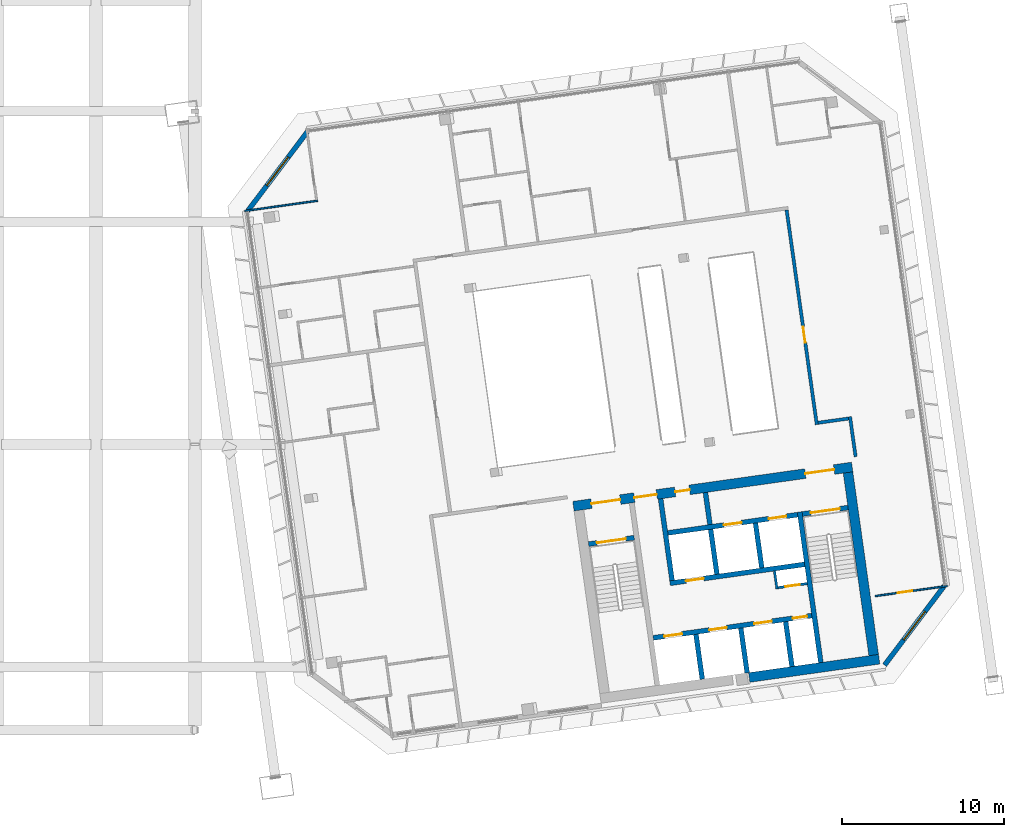
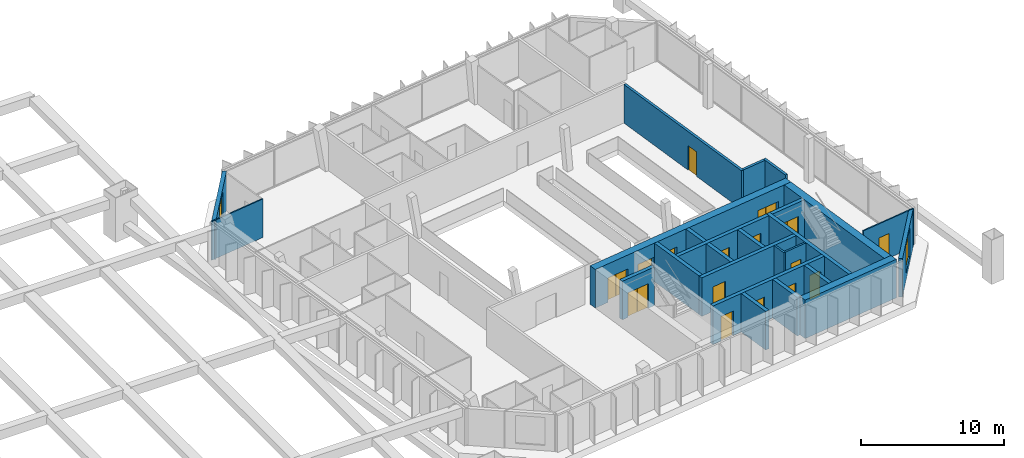
# One storey, part 25 of 36: 25 walls, 16 doors, 2 windows, 18 openings.
"""IFC4 building model written with IfcOpenShell, lengths in metres."""

import ifcopenshell
import ifcopenshell.guid

model = None  # the IFC model being written
_history = None  # IfcOwnerHistory: only IFC2X3 demands one
_inside = {}  # id of a spatial element -> (the spatial element, [elements in it])
_under = {}  # id of a project, library or spatial element -> (it, [spatial elements below it])
_declared = {}  # id of a project -> (the project, [libraries it declares])
_typed = {}  # id of a type object -> (the type object, [elements of that type])
_made_of = {}  # id of a material, layer set ... -> (it, [elements and type objects made of it])


def new_model(schema):
    """Start an empty IFC model of exactly this schema.

    Asked for "IFC4X3", IfcOpenShell would pick the latest addendum, in which some entities
    have other attributes; the version numbers below select the first issue.
    IFC2X3 requires an IfcOwnerHistory on every rooted entity: one is made here for all.
    """
    global model, _history
    if schema == "IFC4X3":
        model = ifcopenshell.file(schema_version=(4, 3, 0, 0))
    else:
        model = ifcopenshell.file(schema=schema)
    _inside.clear()
    _under.clear()
    _declared.clear()
    _typed.clear()
    _made_of.clear()
    _history = None
    if model.schema == "IFC2X3":
        org = make("IfcOrganization", Name="unknown")
        user = make(
            "IfcPersonAndOrganization",
            ThePerson=make("IfcPerson", FamilyName="unknown"),
            TheOrganization=org,
        )
        app = make(
            "IfcApplication",
            ApplicationDeveloper=org,
            Version="unknown",
            ApplicationFullName="unknown",
            ApplicationIdentifier="unknown",
        )
        _history = make(
            "IfcOwnerHistory",
            OwningUser=user,
            OwningApplication=app,
            ChangeAction="ADDED",
            CreationDate=0,
        )
    return model


def make(cls, **values):
    """One entity of the class cls with the attributes given. An attribute that is None is left unset."""
    return model.create_entity(
        cls, **{name: value for name, value in values.items() if value is not None}
    )


def rooted(cls, **values):
    """An entity with a GlobalId (a new one), such as an element, a storey or a relation."""
    return make(cls, GlobalId=ifcopenshell.guid.new(), OwnerHistory=_history, **values)


def si_unit(unit_type, name, prefix=None):
    """IfcSIUnit, for example si_unit("LENGTHUNIT", "METRE", prefix="MILLI")."""
    return make("IfcSIUnit", UnitType=unit_type, Prefix=prefix, Name=name)


def assignment(units):
    """IfcUnitAssignment: the units of a project."""
    return None if units is None else make("IfcUnitAssignment", Units=units)


def point(xyz):
    """IfcCartesianPoint."""
    return None if xyz is None else make("IfcCartesianPoint", Coordinates=xyz)


def direction(xyz):
    """IfcDirection."""
    return None if xyz is None else make("IfcDirection", DirectionRatios=xyz)


def frame(location, z_axis=None, x_axis=None):
    """IfcAxis2Placement3D, a coordinate frame: its origin and axes. An axis left out is left unset."""
    return make(
        "IfcAxis2Placement3D",
        Location=point(location),
        Axis=direction(z_axis),
        RefDirection=direction(x_axis),
    )


def frame_2d(location, x_axis=None):
    """IfcAxis2Placement2D, a coordinate frame in the plane: its origin and x axis."""
    return make(
        "IfcAxis2Placement2D", Location=point(location), RefDirection=direction(x_axis)
    )


def origin():
    """The frame at (0, 0, 0) with its axes left unset."""
    return frame((0.0, 0.0, 0.0))


def place(relative_to, where):
    """IfcLocalPlacement: puts the frame where relative to a parent placement (None: the world)."""
    return make(
        "IfcLocalPlacement", PlacementRelTo=relative_to, RelativePlacement=where
    )


def context(
    kind, dimensions, precision=None, world=None, true_north=None, identifier=None
):
    """IfcGeometricRepresentationContext, for example the 3D "Model" context."""
    return make(
        "IfcGeometricRepresentationContext",
        ContextIdentifier=identifier,
        ContextType=kind,
        CoordinateSpaceDimension=dimensions,
        Precision=precision,
        WorldCoordinateSystem=world,
        TrueNorth=true_north,
    )


def subcontext(parent, identifier, kind, view, scale=None):
    """IfcGeometricRepresentationSubContext, for example "Body" below "Model"."""
    return make(
        "IfcGeometricRepresentationSubContext",
        ContextIdentifier=identifier,
        ContextType=kind,
        ParentContext=parent,
        TargetScale=scale,
        TargetView=view,
    )


def project(units=None, contexts=None):
    """IfcProject with its units and contexts."""
    return rooted(
        "IfcProject",
        Name="project",
        RepresentationContexts=contexts,
        UnitsInContext=assignment(units),
    )


def spatial(cls, under=None, at=None, **own):
    """A site, building, storey or space (cls), placed at a placement, below another one or the project."""
    s = rooted(cls, ObjectPlacement=at, **own)
    if under is not None:
        _under.setdefault(under.id(), (under, []))[1].append(s)
    return s


def profile(cls, at=None, kind="AREA", **sizes):
    """A parametric profile (cls). Its sizes go by their IFC names, for example OverallWidth=200.0."""
    return make(cls, ProfileType=kind, Position=at, **sizes)


def rectangle(**sizes):
    """IfcRectangleProfileDef."""
    return profile("IfcRectangleProfileDef", **sizes)


def extrude(swept, where, along, depth):
    """IfcExtrudedAreaSolid: the profile swept, set in the frame where, extruded along a direction by depth."""
    return make(
        "IfcExtrudedAreaSolid",
        SweptArea=swept,
        Position=where,
        ExtrudedDirection=direction(along),
        Depth=depth,
    )


def shape(context_of_items, identifier, shape_type, items):
    """IfcShapeRepresentation: the items that make up one representation, for example the "Body"."""
    return make(
        "IfcShapeRepresentation",
        ContextOfItems=context_of_items,
        RepresentationIdentifier=identifier,
        RepresentationType=shape_type,
        Items=items,
    )


def material(Name=None, Category=None):
    """IfcMaterial."""
    return make("IfcMaterial", Name=Name, Category=Category)


def layer(
    of_material, thickness, ventilated=None, Name=None, Category=None, Priority=None
):
    """IfcMaterialLayer: one layer of a wall or slab, of a material (None: an air gap)."""
    return make(
        "IfcMaterialLayer",
        Material=of_material,
        LayerThickness=thickness,
        IsVentilated=ventilated,
        Name=Name,
        Category=Category,
        Priority=Priority,
    )


def layer_set(layers, Name=None):
    """IfcMaterialLayerSet."""
    return make("IfcMaterialLayerSet", MaterialLayers=layers, LayerSetName=Name)


def made_of(thing, what):
    """Note that an element or type object is made of a material, layer set ...; save() writes the relation."""
    if what is not None:
        _made_of.setdefault(what.id(), (what, []))[1].append(thing)
    return thing


def type_object(cls, material=None, **own):
    """A type object (cls), such as IfcWallType, which elements share."""
    return made_of(rooted(cls, **own), material)


def element(
    cls,
    number,
    at=None,
    inside=None,
    cuts=None,
    type_object=None,
    material=None,
    context=None,
    identifier="Body",
    shape_type=None,
    held_by="IfcProductDefinitionShape",
    body=None,
    shapes=None,
    **own,
):
    """One element of the class cls, such as IfcWall. Its Tag is "e" and its number.

    at: its placement. inside: the storey or other place that contains it. cuts: it is an
    opening in that element (IfcRelVoidsElement). A single representation is given by context,
    identifier, shape_type and body (its items); several are given by shapes. held_by: the class
    of the entity that holds the representations. save() writes the other relations.
    """
    e = rooted(cls, Tag="e%d" % number, ObjectPlacement=at, **own)
    if body is not None:
        shapes = [shape(context, identifier, shape_type, body)]
    if shapes is not None:
        e.Representation = make(held_by, Representations=shapes)
    if inside is not None:
        _inside.setdefault(inside.id(), (inside, []))[1].append(e)
    if cuts is not None:
        rooted(
            "IfcRelVoidsElement", RelatingBuildingElement=cuts, RelatedOpeningElement=e
        )
    if type_object is not None:
        _typed.setdefault(type_object.id(), (type_object, []))[1].append(e)
    return made_of(e, material)


def fill(opening, filler):
    """IfcRelFillsElement: the door or window that sits in an opening."""
    return rooted(
        "IfcRelFillsElement",
        RelatingOpeningElement=opening,
        RelatedBuildingElement=filler,
    )


def aggregate(whole, parts):
    """IfcRelAggregates: a whole, such as a stair, and the parts it consists of."""
    return rooted("IfcRelAggregates", RelatingObject=whole, RelatedObjects=parts)


def save(model, path):
    """Write the relations noted so far, then the file.

    IfcRelAggregates (storeys below a building ...), IfcRelContainedInSpatialStructure (elements
    in a storey), IfcRelDefinesByType, IfcRelAssociatesMaterial and IfcRelDeclares: one each for
    every whole, place, type object, material and project.
    """
    for whole, parts in _under.values():
        aggregate(whole, parts)
    for where, things in _inside.values():
        rooted(
            "IfcRelContainedInSpatialStructure",
            RelatedElements=things,
            RelatingStructure=where,
        )
    for kind, things in _typed.values():
        rooted("IfcRelDefinesByType", RelatedObjects=things, RelatingType=kind)
    for what, things in _made_of.values():
        rooted("IfcRelAssociatesMaterial", RelatedObjects=things, RelatingMaterial=what)
    for by, libraries in _declared.values():
        rooted("IfcRelDeclares", RelatingContext=by, RelatedDefinitions=libraries)
    model.write(path)


model = new_model("IFC4")

# Units and contexts
model_context = context("Model", 3, precision=1e-05, world=origin(), true_north=direction((0.0, 1.0)))
body_context = subcontext(model_context, "Body", "Model", "MODEL_VIEW")
ifc_project = project(units=[si_unit("LENGTHUNIT", "METRE"), si_unit("AREAUNIT", "SQUARE_METRE"), si_unit("VOLUMEUNIT", "CUBIC_METRE"), si_unit("PLANEANGLEUNIT", "RADIAN"), si_unit("MASSUNIT", "GRAM", prefix="KILO")], contexts=[model_context])

# Site, building, storey
site_placement = place(None, origin())
site = spatial("IfcSite", under=ifc_project, at=site_placement, CompositionType="ELEMENT")
building_placement = place(site_placement, origin())
building = spatial("IfcBuilding", under=site, at=building_placement, Name="Mirante Cascada Hotel Towers", CompositionType="ELEMENT")
storey_placement = place(building_placement, frame((0.0, 0.0, 254.6)))
storey = spatial("IfcBuildingStorey", under=building, at=storey_placement, Name="L61", CompositionType="ELEMENT", Elevation=254.6)

# Wall
ifc_material_1 = material(Name="Fire-rated plasterboard on metal studs")
ifc_layer_1 = layer(ifc_material_1, 0.2)
ifc_layer_set_1 = layer_set([ifc_layer_1], Name="Compartment wall 200 EI 120")
wall_type_1 = type_object("IfcWallType", Name="Compartment wall 200 EI 120", PredefinedType="PARTITIONING", material=ifc_layer_set_1)
wall_1_placement = place(storey_placement, frame((50.7737, -2.5139, 0.0), z_axis=(0.0, 0.0, 1.0), x_axis=(0.9902628, 0.1392105, 0.0)))
element("IfcWall", 1, at=wall_1_placement, inside=storey, type_object=wall_type_1, Name="Wall 2-L61-08", PredefinedType="PARTITIONING", context=body_context, shape_type="SweptSolid", body=[
    extrude(rectangle(XDim=1.9, YDim=0.2, at=frame_2d((0.95, 0.0))), origin(), (0.0, 0.0, 1.0), 3.3),
])

# Wall, opening, door
wall_2_placement = place(storey_placement, frame((48.8237, 10.6428, 0.0), z_axis=(0.0, 0.0, 1.0), x_axis=(0.1391716, -0.9902683, 0.0)))
wall_2 = element("IfcWall", 2, at=wall_2_placement, inside=storey, type_object=wall_type_1, Name="Wall 2-L61-47", PredefinedType="PARTITIONING", context=body_context, shape_type="SweptSolid", body=[
    extrude(rectangle(XDim=13.4, YDim=0.2, at=frame_2d((6.7, 0.0))), origin(), (0.0, 0.0, 1.0), 3.3),
])
opening_1_placement = place(wall_2_placement, frame((7.3, 0.0, 0.0)))
opening_1 = element("IfcOpeningElement", 3, at=opening_1_placement, cuts=wall_2, Name="Opening D2-L61-26", PredefinedType="OPENING", context=body_context, shape_type="SweptSolid", body=[
    extrude(rectangle(XDim=1.0, YDim=2.1, at=frame_2d((0.5, 1.05))), frame((0.0, 0.1, 0.0), z_axis=(0.0, -1.0, 0.0), x_axis=(1.0, 0.0, 0.0)), (0.0, 0.0, 1.0), 0.2),
])
ifc_material_2 = material(Name="Fire-rated timber door leaf", Category="wood")
door_type_1 = type_object("IfcDoorType", Name="Entrance door DG1 1000x2100 EI 60", OperationType="SINGLE_SWING_LEFT", PredefinedType="DOOR", material=ifc_material_2)
door_1_placement = place(opening_1_placement, origin())
door_1 = element("IfcDoor", 4, at=door_1_placement, inside=storey, type_object=door_type_1, Name="Door D2-L61-26", OperationType="SINGLE_SWING_LEFT", OverallHeight=2.1, OverallWidth=1.0, PredefinedType="DOOR", context=body_context, shape_type="SweptSolid", body=[
    extrude(rectangle(XDim=1.0, YDim=2.1, at=frame_2d((0.5, 1.05))), frame((0.0, 0.025, 0.0), z_axis=(0.0, -1.0, 0.0), x_axis=(1.0, 0.0, 0.0)), (0.0, 0.0, 1.0), 0.05),
])
fill(opening_1, door_1)

# Walls
wall_3_placement = place(storey_placement, frame((52.7403, -2.1365, 0.0), z_axis=(0.0, 0.0, 1.0), x_axis=(0.1391586, -0.9902701, 0.0)))
element("IfcWall", 5, at=wall_3_placement, inside=storey, type_object=wall_type_1, Name="Wall 2-L61-49", PredefinedType="PARTITIONING", context=body_context, shape_type="SweptSolid", body=[
    extrude(rectangle(XDim=2.5, YDim=0.2, at=frame_2d((1.25, 0.0))), origin(), (0.0, 0.0, 1.0), 3.3),
])
ifc_material_3 = material(Name="Masonry block", Category="masonry")
ifc_layer_2 = layer(ifc_material_3, 0.15)
ifc_layer_set_2 = layer_set([ifc_layer_2], Name="Core room partition 150 block EI 30")
wall_type_2 = type_object("IfcWallType", Name="Core room partition 150 block EI 30", PredefinedType="PARTITIONING", material=ifc_layer_set_2)
wall_4_placement = place(storey_placement, frame((48.2295, -12.793, 0.0), z_axis=(0.0, 0.0, 1.0), x_axis=(-0.1391935, 0.9902652, 0.0)))
element("IfcWall", 6, at=wall_4_placement, inside=storey, type_object=wall_type_2, Name="Core wall partition T2 L61 2", PredefinedType="PARTITIONING", context=body_context, shape_type="SweptSolid", body=[
    extrude(rectangle(XDim=1.1251, YDim=0.15, at=frame_2d((0.5626, 0.0))), origin(), (0.0, 0.0, 1.0), 3.3),
])

# Wall, opening, door
wall_5_placement = place(storey_placement, frame((48.2933, -12.7083, 0.0), z_axis=(0.0, 0.0, 1.0), x_axis=(0.990268, 0.1391734, 0.0)))
wall_5 = element("IfcWall", 7, at=wall_5_placement, inside=storey, type_object=wall_type_2, Name="Core wall partition T2 L61 3", PredefinedType="PARTITIONING", context=body_context, shape_type="SweptSolid", body=[
    extrude(rectangle(XDim=1.8251, YDim=0.15, at=frame_2d((0.9126, 0.0))), origin(), (0.0, 0.0, 1.0), 3.3),
])
opening_2_placement = place(wall_5_placement, frame((0.4625, 0.0, 0.0)))
opening_2 = element("IfcOpeningElement", 8, at=opening_2_placement, cuts=wall_5, Name="Opening D2-61-C13", PredefinedType="OPENING", context=body_context, shape_type="SweptSolid", body=[
    extrude(rectangle(XDim=0.9, YDim=2.1, at=frame_2d((0.45, 1.05))), frame((0.0, 0.075, 0.0), z_axis=(0.0, -1.0, 0.0), x_axis=(1.0, 0.0, 0.0)), (0.0, 0.0, 1.0), 0.15),
])
ifc_material_4 = material(Name="Hollow metal fire door leaf")
door_type_2 = type_object("IfcDoorType", Name="Fire door 900x2100 FD60", OperationType="NOTDEFINED", PredefinedType="DOOR", material=ifc_material_4)
door_2_placement = place(opening_2_placement, frame((0.9, 0.0, 0.0), z_axis=(0.0, 0.0, 1.0), x_axis=(-1.0, 0.0, 0.0)))
door_2 = element("IfcDoor", 9, at=door_2_placement, inside=storey, type_object=door_type_2, Name="Riser door T2 L61 13", OperationType="SINGLE_SWING_RIGHT", OverallHeight=2.1, OverallWidth=0.9, PredefinedType="DOOR", context=body_context, shape_type="SweptSolid", body=[
    extrude(rectangle(XDim=0.9, YDim=2.1, at=frame_2d((0.45, 1.05))), frame((0.0, 0.025, 0.0), z_axis=(0.0, -1.0, 0.0), x_axis=(1.0, 0.0, 0.0)), (0.0, 0.0, 1.0), 0.05),
])
fill(opening_2, door_2)

# Wall
ifc_material_5 = material(Name="Masonry block", Category="masonry")
ifc_layer_3 = layer(ifc_material_5, 0.3)
ifc_layer_set_3 = layer_set([ifc_layer_3], Name="Core wall 300 block EI 120")
wall_type_3 = type_object("IfcWallType", Name="Core wall 300 block EI 120", PredefinedType="PARTITIONING", material=ifc_layer_set_3)
wall_6_placement = place(storey_placement, frame((44.0843, -8.8061, 0.0), z_axis=(0.0, 0.0, 1.0), x_axis=(-0.1391951, 0.990265, 0.0)))
element("IfcWall", 10, at=wall_6_placement, inside=storey, type_object=wall_type_3, Name="Core wall partition T2 L61 1", PredefinedType="PARTITIONING", context=body_context, shape_type="SweptSolid", body=[
    extrude(rectangle(XDim=2.0001, YDim=0.3, at=frame_2d((1.0001, 0.0))), origin(), (0.0, 0.0, 1.0), 3.3),
])

# Wall, opening, door
ifc_material_6 = material(Name="Plasterboard on metal studs")
ifc_layer_4 = layer(ifc_material_6, 0.1)
ifc_layer_set_4 = layer_set([ifc_layer_4], Name="Partition 100")
wall_type_4 = type_object("IfcWallType", Name="Partition 100", PredefinedType="PARTITIONING", material=ifc_layer_set_4)
wall_7_placement = place(storey_placement, frame((54.299, -13.2275, 0.0), z_axis=(0.0, 0.0, 1.0), x_axis=(0.9902674, 0.1391779, 0.0)))
wall_7 = element("IfcWall", 11, at=wall_7_placement, inside=storey, type_object=wall_type_4, Name="Wall 2-L61-04", PredefinedType="PARTITIONING", context=body_context, shape_type="SweptSolid", body=[
    extrude(rectangle(XDim=4.5, YDim=0.1, at=frame_2d((2.25, 0.0))), origin(), (0.0, 0.0, 1.0), 3.3),
])
opening_3_placement = place(wall_7_placement, frame((1.41, 0.0, 0.0)))
opening_3 = element("IfcOpeningElement", 12, at=opening_3_placement, cuts=wall_7, Name="Opening D2-L61-03", PredefinedType="OPENING", context=body_context, shape_type="SweptSolid", body=[
    extrude(rectangle(XDim=0.9, YDim=2.1, at=frame_2d((0.45, 1.05))), frame((0.0, 0.05, 0.0), z_axis=(0.0, -1.0, 0.0), x_axis=(1.0, 0.0, 0.0)), (0.0, 0.0, 1.0), 0.1),
])
ifc_material_7 = material(Name="Timber door leaf", Category="wood")
door_type_3 = type_object("IfcDoorType", Name="Room door DG3 900x2100", OperationType="SINGLE_SWING_LEFT", PredefinedType="DOOR", material=ifc_material_7)
door_3_placement = place(opening_3_placement, origin())
door_3 = element("IfcDoor", 13, at=door_3_placement, inside=storey, type_object=door_type_3, Name="Door D2-L61-03", OperationType="SINGLE_SWING_LEFT", OverallHeight=2.1, OverallWidth=0.9, PredefinedType="DOOR", context=body_context, shape_type="SweptSolid", body=[
    extrude(rectangle(XDim=0.9, YDim=2.1, at=frame_2d((0.45, 1.05))), frame((0.0, 0.025, 0.0), z_axis=(0.0, -1.0, 0.0), x_axis=(1.0, 0.0, 0.0)), (0.0, 0.0, 1.0), 0.05),
])
fill(opening_3, door_3)

# Wall
wall_8_placement = place(storey_placement, frame((15.3185, 10.5792, 0.0), z_axis=(0.0, 0.0, 1.0), x_axis=(0.9902695, 0.1391626, 0.0)))
element("IfcWall", 14, at=wall_8_placement, inside=storey, type_object=wall_type_4, Name="Wall 2-L61-20", PredefinedType="PARTITIONING", context=body_context, shape_type="SweptSolid", body=[
    extrude(rectangle(XDim=4.5501, YDim=0.1, at=frame_2d((2.275, 0.0))), origin(), (0.0, 0.0, 1.0), 3.3),
])

# Wall, opening, window
ifc_material_8 = material(Name="Precast concrete C40/50", Category="concrete")
ifc_layer_5 = layer(ifc_material_8, 0.3)
ifc_layer_set_5 = layer_set([ifc_layer_5], Name="Precast concrete C40/50 cladding wall 300")
wall_type_5 = type_object("IfcWallType", Name="Precast concrete C40/50 cladding wall 300", PredefinedType="STANDARD", material=ifc_layer_set_5)
wall_9_placement = place(storey_placement, frame((54.8802, -17.4943, 0.0), z_axis=(0.0, 0.0, 1.0), x_axis=(0.6018141, 0.7986362, 0.0)))
wall_9 = element("IfcWall", 15, at=wall_9_placement, inside=storey, type_object=wall_type_5, Name="Corner cladding wall T2 L61 rear outer", PredefinedType="STANDARD", context=body_context, shape_type="SweptSolid", body=[
    extrude(rectangle(XDim=6.1157, YDim=0.3, at=frame_2d((3.0578, 0.0))), origin(), (0.0, 0.0, 1.0), 3.3),
])
opening_4_placement = place(wall_9_placement, frame((1.9578, 0.0, 0.6)))
opening_4 = element("IfcOpeningElement", 16, at=opening_4_placement, cuts=wall_9, Name="Opening W2-61-04", PredefinedType="OPENING", context=body_context, shape_type="SweptSolid", body=[
    extrude(rectangle(XDim=2.2, YDim=2.4, at=frame_2d((1.1, 1.2))), frame((0.0, 0.15, 0.0), z_axis=(0.0, -1.0, 0.0), x_axis=(1.0, 0.0, 0.0)), (0.0, 0.0, 1.0), 0.3),
])
ifc_material_9 = material(Name="Aluminium frame with clear double glazing", Category="aluminium")
window_type = type_object("IfcWindowType", Name="Corner suite window 2200x2400", PartitioningType="DOUBLE_PANEL_VERTICAL", PredefinedType="WINDOW", material=ifc_material_9)
window_1_placement = place(opening_4_placement, origin())
window_1 = element("IfcWindow", 17, at=window_1_placement, inside=storey, type_object=window_type, Name="Window W2-61-04", OverallHeight=2.4, OverallWidth=2.2, PartitioningType="SINGLE_PANEL", PredefinedType="WINDOW", context=body_context, shape_type="SweptSolid", body=[
    extrude(rectangle(XDim=2.2, YDim=2.4, at=frame_2d((1.1, 1.2))), frame((0.0, 0.03, 0.0), z_axis=(0.0, -1.0, 0.0), x_axis=(1.0, 0.0, 0.0)), (0.0, 0.0, 1.0), 0.06),
])
fill(opening_4, window_1)

wall_10_placement = place(storey_placement, frame((19.1936, 15.4722, 0.0), z_axis=(0.0, 0.0, 1.0), x_axis=(-0.6018141, -0.7986362, 0.0)))
wall_10 = element("IfcWall", 18, at=wall_10_placement, inside=storey, type_object=wall_type_5, Name="Corner cladding wall T2 L61 front inner", PredefinedType="STANDARD", context=body_context, shape_type="SweptSolid", body=[
    extrude(rectangle(XDim=6.1157, YDim=0.3, at=frame_2d((3.0578, 0.0))), origin(), (0.0, 0.0, 1.0), 3.3),
])
opening_5_placement = place(wall_10_placement, frame((1.9578, 0.0, 0.6)))
opening_5 = element("IfcOpeningElement", 19, at=opening_5_placement, cuts=wall_10, Name="Opening W2-61-06", PredefinedType="OPENING", context=body_context, shape_type="SweptSolid", body=[
    extrude(rectangle(XDim=2.2, YDim=2.4, at=frame_2d((1.1, 1.2))), frame((0.0, 0.15, 0.0), z_axis=(0.0, -1.0, 0.0), x_axis=(1.0, 0.0, 0.0)), (0.0, 0.0, 1.0), 0.3),
])
window_2_placement = place(opening_5_placement, origin())
window_2 = element("IfcWindow", 20, at=window_2_placement, inside=storey, type_object=window_type, Name="Window W2-61-06", OverallHeight=2.4, OverallWidth=2.2, PartitioningType="SINGLE_PANEL", PredefinedType="WINDOW", context=body_context, shape_type="SweptSolid", body=[
    extrude(rectangle(XDim=2.2, YDim=2.4, at=frame_2d((1.1, 1.2))), frame((0.0, 0.03, 0.0), z_axis=(0.0, -1.0, 0.0), x_axis=(1.0, 0.0, 0.0)), (0.0, 0.0, 1.0), 0.06),
])
fill(opening_5, window_2)

# Wall
ifc_material_10 = material(Name="Concrete C50/60", Category="concrete")
ifc_layer_6 = layer(ifc_material_10, 0.3)
ifc_layer_set_6 = layer_set([ifc_layer_6], Name="RC core wall 300 C50/60")
wall_type_6 = type_object("IfcWallType", Name="RC core wall 300 C50/60", PredefinedType="SHEAR", material=ifc_layer_set_6)
wall_11_placement = place(storey_placement, frame((50.938, -17.3352, 0.0), z_axis=(0.0, 0.0, 1.0), x_axis=(-0.1391706, 0.9902684, 0.0)))
element("IfcWall", 21, at=wall_11_placement, inside=storey, type_object=wall_type_6, Name="Core wall T2:L61:6", PredefinedType="SHEAR", context=body_context, shape_type="SweptSolid", body=[
    extrude(rectangle(XDim=9.4, YDim=0.3, at=frame_2d((4.7, 0.0))), origin(), (0.0, 0.0, 1.0), 3.3),
])

# Wall, opening, door
wall_12_placement = place(storey_placement, frame((36.5791, -10.0123, 0.0), z_axis=(0.0, 0.0, 1.0), x_axis=(0.9902704, 0.1391564, 0.0)))
wall_12 = element("IfcWall", 22, at=wall_12_placement, inside=storey, type_object=wall_type_6, Name="Core wall T2:L61:7", PredefinedType="SHEAR", context=body_context, shape_type="SweptSolid", body=[
    extrude(rectangle(XDim=2.85, YDim=0.3, at=frame_2d((1.425, 0.0))), origin(), (0.0, 0.0, 1.0), 3.3),
])
opening_6_placement = place(wall_12_placement, frame((0.525, 0.0, 0.0)))
opening_6 = element("IfcOpeningElement", 23, at=opening_6_placement, cuts=wall_12, Name="Opening D2-61-C07", PredefinedType="OPENING", context=body_context, shape_type="SweptSolid", body=[
    extrude(rectangle(XDim=1.8, YDim=2.1, at=frame_2d((0.9, 1.05))), frame((0.0, 0.15, 0.0), z_axis=(0.0, -1.0, 0.0), x_axis=(1.0, 0.0, 0.0)), (0.0, 0.0, 1.0), 0.3),
])
ifc_material_11 = material(Name="Hollow metal fire door leaf")
door_type_4 = type_object("IfcDoorType", Name="Double fire door 1800x2100 FD60", OperationType="DOUBLE_DOOR_SINGLE_SWING", PredefinedType="DOOR", material=ifc_material_11)
door_4_placement = place(opening_6_placement, frame((1.8, 0.0, 0.0), z_axis=(0.0, 0.0, 1.0), x_axis=(-1.0, 0.0, 0.0)))
door_4 = element("IfcDoor", 24, at=door_4_placement, inside=storey, type_object=door_type_4, Name="Stair door T2 L61 7", OperationType="DOUBLE_DOOR_SINGLE_SWING", OverallHeight=2.1, OverallWidth=1.8, PredefinedType="DOOR", context=body_context, shape_type="SweptSolid", body=[
    extrude(rectangle(XDim=0.895, YDim=2.1, at=frame_2d((0.4475, 1.05))), frame((0.0, 0.025, 0.0), z_axis=(0.0, -1.0, 0.0), x_axis=(1.0, 0.0, 0.0)), (0.0, 0.0, 1.0), 0.05),
    extrude(rectangle(XDim=0.895, YDim=2.1, at=frame_2d((1.3525, 1.05))), frame((0.0, 0.025, 0.0), z_axis=(0.0, -1.0, 0.0), x_axis=(1.0, 0.0, 0.0)), (0.0, 0.0, 1.0), 0.05),
])
fill(opening_6, door_4)

wall_13_placement = place(storey_placement, frame((49.7992, -8.1544, 0.0), z_axis=(0.0, 0.0, 1.0), x_axis=(0.9902656, 0.1391909, 0.0)))
wall_13 = element("IfcWall", 25, at=wall_13_placement, inside=storey, type_object=wall_type_6, Name="Core wall T2:L61:8", PredefinedType="SHEAR", context=body_context, shape_type="SweptSolid", body=[
    extrude(rectangle(XDim=2.85, YDim=0.3, at=frame_2d((1.425, 0.0))), origin(), (0.0, 0.0, 1.0), 3.3),
])
opening_7_placement = place(wall_13_placement, frame((0.525, 0.0, 0.0)))
opening_7 = element("IfcOpeningElement", 26, at=opening_7_placement, cuts=wall_13, Name="Opening D2-61-C09", PredefinedType="OPENING", context=body_context, shape_type="SweptSolid", body=[
    extrude(rectangle(XDim=1.8, YDim=2.1, at=frame_2d((0.9, 1.05))), frame((0.0, 0.15, 0.0), z_axis=(0.0, -1.0, 0.0), x_axis=(1.0, 0.0, 0.0)), (0.0, 0.0, 1.0), 0.3),
])
door_5_placement = place(opening_7_placement, frame((1.8, 0.0, 0.0), z_axis=(0.0, 0.0, 1.0), x_axis=(-1.0, 0.0, 0.0)))
door_5 = element("IfcDoor", 27, at=door_5_placement, inside=storey, type_object=door_type_4, Name="Stair door T2 L61 9", OperationType="DOUBLE_DOOR_SINGLE_SWING", OverallHeight=2.1, OverallWidth=1.8, PredefinedType="DOOR", context=body_context, shape_type="SweptSolid", body=[
    extrude(rectangle(XDim=0.895, YDim=2.1, at=frame_2d((0.4475, 1.05))), frame((0.0, 0.025, 0.0), z_axis=(0.0, -1.0, 0.0), x_axis=(1.0, 0.0, 0.0)), (0.0, 0.0, 1.0), 0.05),
    extrude(rectangle(XDim=0.895, YDim=2.1, at=frame_2d((1.3525, 1.05))), frame((0.0, 0.025, 0.0), z_axis=(0.0, -1.0, 0.0), x_axis=(1.0, 0.0, 0.0)), (0.0, 0.0, 1.0), 0.05),
])
fill(opening_7, door_5)

# Wall, openings, doors
wall_14_placement = place(storey_placement, frame((40.5753, -15.8126, 0.0), z_axis=(0.0, 0.0, 1.0), x_axis=(0.9902682, 0.1391725, 0.0)))
wall_14 = element("IfcWall", 28, at=wall_14_placement, inside=storey, type_object=wall_type_6, Name="Core wall T2:L61:9", PredefinedType="SHEAR", context=body_context, shape_type="SweptSolid", body=[
    extrude(rectangle(XDim=9.8999, YDim=0.3, at=frame_2d((4.95, 0.0))), origin(), (0.0, 0.0, 1.0), 3.3),
])
opening_8_placement = place(wall_14_placement, frame((0.7, 0.0, 0.0)))
opening_8 = element("IfcOpeningElement", 29, at=opening_8_placement, cuts=wall_14, Name="Opening LD", PredefinedType="OPENING", context=body_context, shape_type="SweptSolid", body=[
    extrude(rectangle(XDim=1.1, YDim=2.1, at=frame_2d((0.55, 1.05))), frame((0.0, 0.15, 0.0), z_axis=(0.0, -1.0, 0.0), x_axis=(1.0, 0.0, 0.0)), (0.0, 0.0, 1.0), 0.3),
])
opening_9_placement = place(wall_14_placement, frame((3.5, 0.0, 0.0)))
opening_9 = element("IfcOpeningElement", 30, at=opening_9_placement, cuts=wall_14, Name="Opening LD", PredefinedType="OPENING", context=body_context, shape_type="SweptSolid", body=[
    extrude(rectangle(XDim=1.1, YDim=2.1, at=frame_2d((0.55, 1.05))), frame((0.0, 0.15, 0.0), z_axis=(0.0, -1.0, 0.0), x_axis=(1.0, 0.0, 0.0)), (0.0, 0.0, 1.0), 0.3),
])
opening_10_placement = place(wall_14_placement, frame((6.3, 0.0, 0.0)))
opening_10 = element("IfcOpeningElement", 31, at=opening_10_placement, cuts=wall_14, Name="Opening LD", PredefinedType="OPENING", context=body_context, shape_type="SweptSolid", body=[
    extrude(rectangle(XDim=1.1, YDim=2.1, at=frame_2d((0.55, 1.05))), frame((0.0, 0.15, 0.0), z_axis=(0.0, -1.0, 0.0), x_axis=(1.0, 0.0, 0.0)), (0.0, 0.0, 1.0), 0.3),
])
opening_11_placement = place(wall_14_placement, frame((8.7, 0.0, 0.0)))
opening_11 = element("IfcOpeningElement", 32, at=opening_11_placement, cuts=wall_14, Name="Opening D2-61-C12", PredefinedType="OPENING", context=body_context, shape_type="SweptSolid", body=[
    extrude(rectangle(XDim=0.9, YDim=2.1, at=frame_2d((0.45, 1.05))), frame((0.0, 0.15, 0.0), z_axis=(0.0, -1.0, 0.0), x_axis=(1.0, 0.0, 0.0)), (0.0, 0.0, 1.0), 0.3),
])
door_6_placement = place(opening_11_placement, frame((0.9, 0.0, 0.0), z_axis=(0.0, 0.0, 1.0), x_axis=(-1.0, 0.0, 0.0)))
door_6 = element("IfcDoor", 33, at=door_6_placement, inside=storey, type_object=door_type_2, Name="Riser door T2 L61 12", OperationType="SINGLE_SWING_RIGHT", OverallHeight=2.1, OverallWidth=0.9, PredefinedType="DOOR", context=body_context, shape_type="SweptSolid", body=[
    extrude(rectangle(XDim=0.9, YDim=2.1, at=frame_2d((0.45, 1.05))), frame((0.0, 0.025, 0.0), z_axis=(0.0, -1.0, 0.0), x_axis=(1.0, 0.0, 0.0)), (0.0, 0.0, 1.0), 0.05),
])
fill(opening_11, door_6)
ifc_material_12 = material(Name="Stainless steel", Category="steel")
door_type_5 = type_object("IfcDoorType", Name="Lift landing door 1100x2100 EI 120", OperationType="DOUBLE_DOOR_SLIDING", PredefinedType="DOOR", material=ifc_material_12)
door_7_placement = place(opening_8_placement, origin())
door_7 = element("IfcDoor", 34, at=door_7_placement, inside=storey, type_object=door_type_5, Name="Lift landing door HR2-1 L61", OperationType="DOUBLE_DOOR_SLIDING", OverallHeight=2.1, OverallWidth=1.1, PredefinedType="DOOR", context=body_context, shape_type="SweptSolid", body=[
    extrude(rectangle(XDim=0.545, YDim=2.1, at=frame_2d((0.2725, 1.05))), frame((0.0, 0.025, 0.0), z_axis=(0.0, -1.0, 0.0), x_axis=(1.0, 0.0, 0.0)), (0.0, 0.0, 1.0), 0.05),
    extrude(rectangle(XDim=0.545, YDim=2.1, at=frame_2d((0.8275, 1.05))), frame((0.0, 0.025, 0.0), z_axis=(0.0, -1.0, 0.0), x_axis=(1.0, 0.0, 0.0)), (0.0, 0.0, 1.0), 0.05),
])
fill(opening_8, door_7)
door_8_placement = place(opening_9_placement, origin())
door_8 = element("IfcDoor", 35, at=door_8_placement, inside=storey, type_object=door_type_5, Name="Lift landing door HR2-2 L61", OperationType="DOUBLE_DOOR_SLIDING", OverallHeight=2.1, OverallWidth=1.1, PredefinedType="DOOR", context=body_context, shape_type="SweptSolid", body=[
    extrude(rectangle(XDim=0.545, YDim=2.1, at=frame_2d((0.2725, 1.05))), frame((0.0, 0.025, 0.0), z_axis=(0.0, -1.0, 0.0), x_axis=(1.0, 0.0, 0.0)), (0.0, 0.0, 1.0), 0.05),
    extrude(rectangle(XDim=0.545, YDim=2.1, at=frame_2d((0.8275, 1.05))), frame((0.0, 0.025, 0.0), z_axis=(0.0, -1.0, 0.0), x_axis=(1.0, 0.0, 0.0)), (0.0, 0.0, 1.0), 0.05),
])
fill(opening_9, door_8)
door_9_placement = place(opening_10_placement, origin())
door_9 = element("IfcDoor", 36, at=door_9_placement, inside=storey, type_object=door_type_5, Name="Lift landing door HR2-3 L61", OperationType="DOUBLE_DOOR_SLIDING", OverallHeight=2.1, OverallWidth=1.1, PredefinedType="DOOR", context=body_context, shape_type="SweptSolid", body=[
    extrude(rectangle(XDim=0.545, YDim=2.1, at=frame_2d((0.2725, 1.05))), frame((0.0, 0.025, 0.0), z_axis=(0.0, -1.0, 0.0), x_axis=(1.0, 0.0, 0.0)), (0.0, 0.0, 1.0), 0.05),
    extrude(rectangle(XDim=0.545, YDim=2.1, at=frame_2d((0.8275, 1.05))), frame((0.0, 0.025, 0.0), z_axis=(0.0, -1.0, 0.0), x_axis=(1.0, 0.0, 0.0)), (0.0, 0.0, 1.0), 0.05),
])
fill(opening_10, door_9)

# Wall, opening, door
wall_15_placement = place(storey_placement, frame((41.6153, -12.435, 0.0), z_axis=(0.0, 0.0, 1.0), x_axis=(0.9902691, 0.139166, 0.0)))
wall_15 = element("IfcWall", 37, at=wall_15_placement, inside=storey, type_object=wall_type_6, Name="Core wall T2:L61:10", PredefinedType="SHEAR", context=body_context, shape_type="SweptSolid", body=[
    extrude(rectangle(XDim=8.4, YDim=0.3, at=frame_2d((4.2, 0.0))), origin(), (0.0, 0.0, 1.0), 3.3),
])
opening_12_placement = place(wall_15_placement, frame((1.0, 0.0, 0.0)))
opening_12 = element("IfcOpeningElement", 38, at=opening_12_placement, cuts=wall_15, Name="Opening LD", PredefinedType="OPENING", context=body_context, shape_type="SweptSolid", body=[
    extrude(rectangle(XDim=1.1, YDim=2.1, at=frame_2d((0.55, 1.05))), frame((0.0, 0.15, 0.0), z_axis=(0.0, -1.0, 0.0), x_axis=(1.0, 0.0, 0.0)), (0.0, 0.0, 1.0), 0.3),
])
door_10_placement = place(opening_12_placement, origin())
door_10 = element("IfcDoor", 39, at=door_10_placement, inside=storey, type_object=door_type_5, Name="Lift landing door HR2-4 L61", OperationType="DOUBLE_DOOR_SLIDING", OverallHeight=2.1, OverallWidth=1.1, PredefinedType="DOOR", context=body_context, shape_type="SweptSolid", body=[
    extrude(rectangle(XDim=0.545, YDim=2.1, at=frame_2d((0.2725, 1.05))), frame((0.0, 0.025, 0.0), z_axis=(0.0, -1.0, 0.0), x_axis=(1.0, 0.0, 0.0)), (0.0, 0.0, 1.0), 0.05),
    extrude(rectangle(XDim=0.545, YDim=2.1, at=frame_2d((0.8275, 1.05))), frame((0.0, 0.025, 0.0), z_axis=(0.0, -1.0, 0.0), x_axis=(1.0, 0.0, 0.0)), (0.0, 0.0, 1.0), 0.05),
])
fill(opening_12, door_10)

# Wall, openings, doors
wall_16_placement = place(storey_placement, frame((41.481, -9.3234, 0.0), z_axis=(0.0, 0.0, 1.0), x_axis=(0.9902679, 0.1391741, 0.0)))
wall_16 = element("IfcWall", 40, at=wall_16_placement, inside=storey, type_object=wall_type_6, Name="Core wall T2:L61:11", PredefinedType="SHEAR", context=body_context, shape_type="SweptSolid", body=[
    extrude(rectangle(XDim=8.0999, YDim=0.3, at=frame_2d((4.05, 0.0))), origin(), (0.0, 0.0, 1.0), 3.3),
])
opening_13_placement = place(wall_16_placement, frame((3.5, 0.0, 0.0)))
opening_13 = element("IfcOpeningElement", 41, at=opening_13_placement, cuts=wall_16, Name="Opening LD", PredefinedType="OPENING", context=body_context, shape_type="SweptSolid", body=[
    extrude(rectangle(XDim=1.1, YDim=2.1, at=frame_2d((0.55, 1.05))), frame((0.0, 0.15, 0.0), z_axis=(0.0, -1.0, 0.0), x_axis=(1.0, 0.0, 0.0)), (0.0, 0.0, 1.0), 0.3),
])
opening_14_placement = place(wall_16_placement, frame((6.3, 0.0, 0.0)))
opening_14 = element("IfcOpeningElement", 42, at=opening_14_placement, cuts=wall_16, Name="Opening LD", PredefinedType="OPENING", context=body_context, shape_type="SweptSolid", body=[
    extrude(rectangle(XDim=1.1, YDim=2.1, at=frame_2d((0.55, 1.05))), frame((0.0, 0.15, 0.0), z_axis=(0.0, -1.0, 0.0), x_axis=(1.0, 0.0, 0.0)), (0.0, 0.0, 1.0), 0.3),
])
door_11_placement = place(opening_13_placement, origin())
door_11 = element("IfcDoor", 43, at=door_11_placement, inside=storey, type_object=door_type_5, Name="Lift landing door FF3 L61", OperationType="DOUBLE_DOOR_SLIDING", OverallHeight=2.1, OverallWidth=1.1, PredefinedType="DOOR", context=body_context, shape_type="SweptSolid", body=[
    extrude(rectangle(XDim=0.545, YDim=2.1, at=frame_2d((0.2725, 1.05))), frame((0.0, 0.025, 0.0), z_axis=(0.0, -1.0, 0.0), x_axis=(1.0, 0.0, 0.0)), (0.0, 0.0, 1.0), 0.05),
    extrude(rectangle(XDim=0.545, YDim=2.1, at=frame_2d((0.8275, 1.05))), frame((0.0, 0.025, 0.0), z_axis=(0.0, -1.0, 0.0), x_axis=(1.0, 0.0, 0.0)), (0.0, 0.0, 1.0), 0.05),
])
fill(opening_13, door_11)
door_12_placement = place(opening_14_placement, origin())
door_12 = element("IfcDoor", 44, at=door_12_placement, inside=storey, type_object=door_type_5, Name="Lift landing door FF4 L61", OperationType="DOUBLE_DOOR_SLIDING", OverallHeight=2.1, OverallWidth=1.1, PredefinedType="DOOR", context=body_context, shape_type="SweptSolid", body=[
    extrude(rectangle(XDim=0.545, YDim=2.1, at=frame_2d((0.2725, 1.05))), frame((0.0, 0.025, 0.0), z_axis=(0.0, -1.0, 0.0), x_axis=(1.0, 0.0, 0.0)), (0.0, 0.0, 1.0), 0.05),
    extrude(rectangle(XDim=0.545, YDim=2.1, at=frame_2d((0.8275, 1.05))), frame((0.0, 0.025, 0.0), z_axis=(0.0, -1.0, 0.0), x_axis=(1.0, 0.0, 0.0)), (0.0, 0.0, 1.0), 0.05),
])
fill(opening_14, door_12)

# Walls
wall_17_placement = place(storey_placement, frame((43.61, -18.3651, 0.0), z_axis=(0.0, 0.0, 1.0), x_axis=(-0.1391459, 0.9902719, 0.0)))
element("IfcWall", 45, at=wall_17_placement, inside=storey, type_object=wall_type_6, Name="Core wall T2:L61:12", PredefinedType="SHEAR", context=body_context, shape_type="SweptSolid", body=[
    extrude(rectangle(XDim=2.7999, YDim=0.3, at=frame_2d((1.4, 0.0))), origin(), (0.0, 0.0, 1.0), 3.3),
])
wall_18_placement = place(storey_placement, frame((46.3828, -17.9754, 0.0), z_axis=(0.0, 0.0, 1.0), x_axis=(-0.139181, 0.990267, 0.0)))
element("IfcWall", 46, at=wall_18_placement, inside=storey, type_object=wall_type_6, Name="Core wall T2:L61:13", PredefinedType="SHEAR", context=body_context, shape_type="SweptSolid", body=[
    extrude(rectangle(XDim=2.8, YDim=0.3, at=frame_2d((1.4, 0.0))), origin(), (0.0, 0.0, 1.0), 3.3),
])
wall_19_placement = place(storey_placement, frame((49.1555, -17.5857, 0.0), z_axis=(0.0, 0.0, 1.0), x_axis=(-0.1391459, 0.9902719, 0.0)))
element("IfcWall", 47, at=wall_19_placement, inside=storey, type_object=wall_type_6, Name="Core wall T2:L61:14", PredefinedType="SHEAR", context=body_context, shape_type="SweptSolid", body=[
    extrude(rectangle(XDim=2.7999, YDim=0.3, at=frame_2d((1.4, 0.0))), origin(), (0.0, 0.0, 1.0), 3.3),
])
for number, where, z_axis, x_axis, name in (
    (48, (44.5157, -11.8759, 0.0), (0.0, 0.0, 1.0), (-0.139181, 0.990267, 0.0), "Core wall T2:L61:15"),
    (49, (47.2885, -11.4862, 0.0), (0.0, 0.0, 1.0), (-0.139181, 0.990267, 0.0), "Core wall T2:L61:16"),
):
    element("IfcWall", number, at=place(storey_placement, frame(where, z_axis=z_axis, x_axis=x_axis)), inside=storey, type_object=wall_type_6, Name=name, PredefinedType="SHEAR", context=body_context, shape_type="SweptSolid", body=[
        extrude(rectangle(XDim=2.8, YDim=0.3, at=frame_2d((1.4, 0.0))), origin(), (0.0, 0.0, 1.0), 3.3),
    ])
wall_20_placement = place(storey_placement, frame((41.743, -12.2656, 0.0), z_axis=(0.0, 0.0, 1.0), x_axis=(-0.1391755, 0.9902677, 0.0)))
element("IfcWall", 50, at=wall_20_placement, inside=storey, type_object=wall_type_6, Name="Core wall T2:L61:17", PredefinedType="SHEAR", context=body_context, shape_type="SweptSolid", body=[
    extrude(rectangle(XDim=5.1, YDim=0.3, at=frame_2d((2.55, 0.0))), origin(), (0.0, 0.0, 1.0), 3.3),
])
ifc_material_13 = material(Name="Concrete C50/60", Category="concrete")
ifc_layer_7 = layer(ifc_material_13, 0.6)
ifc_layer_set_7 = layer_set([ifc_layer_7], Name="RC core wall 600 C50/60")
wall_type_7 = type_object("IfcWallType", Name="RC core wall 600 C50/60", PredefinedType="SHEAR", material=ifc_layer_set_7)
wall_21_placement = place(storey_placement, frame((46.5111, -18.2603, 0.0), z_axis=(0.0, 0.0, 1.0), x_axis=(0.9902689, 0.1391672, 0.0)))
element("IfcWall", 51, at=wall_21_placement, inside=storey, type_object=wall_type_7, Name="Core wall T2:L61:1.2", PredefinedType="SHEAR", context=body_context, shape_type="SweptSolid", body=[
    extrude(rectangle(XDim=8.1125, YDim=0.6, at=frame_2d((4.0562, 0.0))), origin(), (0.0, 0.0, 1.0), 3.3),
])

# Wall, openings, doors
wall_22_placement = place(storey_placement, frame((35.644, -7.6697, 0.0), z_axis=(0.0, 0.0, 1.0), x_axis=(0.9902682, 0.1391721, 0.0)))
wall_22 = element("IfcWall", 52, at=wall_22_placement, inside=storey, type_object=wall_type_7, Name="Core wall T2:L61:2", PredefinedType="SHEAR", context=body_context, shape_type="SweptSolid", body=[
    extrude(rectangle(XDim=17.4, YDim=0.6, at=frame_2d((8.7, 0.0))), origin(), (0.0, 0.0, 1.0), 3.3),
])
opening_15_placement = place(wall_22_placement, frame((1.125, 0.0, 0.0)))
opening_15 = element("IfcOpeningElement", 53, at=opening_15_placement, cuts=wall_22, Name="Opening D2-61-C08", PredefinedType="OPENING", context=body_context, shape_type="SweptSolid", body=[
    extrude(rectangle(XDim=1.8, YDim=2.1, at=frame_2d((0.9, 1.05))), frame((0.0, 0.3, 0.0), z_axis=(0.0, -1.0, 0.0), x_axis=(1.0, 0.0, 0.0)), (0.0, 0.0, 1.0), 0.6),
])
opening_16_placement = place(wall_22_placement, frame((14.475, 0.0, 0.0)))
opening_16 = element("IfcOpeningElement", 54, at=opening_16_placement, cuts=wall_22, Name="Opening D2-61-C10", PredefinedType="OPENING", context=body_context, shape_type="SweptSolid", body=[
    extrude(rectangle(XDim=1.8, YDim=2.1, at=frame_2d((0.9, 1.05))), frame((0.0, 0.3, 0.0), z_axis=(0.0, -1.0, 0.0), x_axis=(1.0, 0.0, 0.0)), (0.0, 0.0, 1.0), 0.6),
])
opening_17_placement = place(wall_22_placement, frame((3.8, 0.0, 0.0)))
opening_17 = element("IfcOpeningElement", 55, at=opening_17_placement, cuts=wall_22, Name="Opening D2-61-C11", PredefinedType="OPENING", context=body_context, shape_type="SweptSolid", body=[
    extrude(rectangle(XDim=1.4, YDim=2.1, at=frame_2d((0.7, 1.05))), frame((0.0, 0.3, 0.0), z_axis=(0.0, -1.0, 0.0), x_axis=(1.0, 0.0, 0.0)), (0.0, 0.0, 1.0), 0.6),
])
opening_18_placement = place(wall_22_placement, frame((6.35, 0.0, 0.0)))
opening_18 = element("IfcOpeningElement", 56, at=opening_18_placement, cuts=wall_22, Name="Opening D2-61-C14", PredefinedType="OPENING", context=body_context, shape_type="SweptSolid", body=[
    extrude(rectangle(XDim=0.9, YDim=2.1, at=frame_2d((0.45, 1.05))), frame((0.0, 0.3, 0.0), z_axis=(0.0, -1.0, 0.0), x_axis=(1.0, 0.0, 0.0)), (0.0, 0.0, 1.0), 0.6),
])
ifc_material_14 = material(Name="Hollow metal fire door leaf")
door_type_6 = type_object("IfcDoorType", Name="Double fire door 1400x2100 FD60", OperationType="DOUBLE_DOOR_SINGLE_SWING", PredefinedType="DOOR", material=ifc_material_14)
door_13_placement = place(opening_17_placement, origin())
door_13 = element("IfcDoor", 57, at=door_13_placement, inside=storey, type_object=door_type_6, Name="Exit door to gallery T2 L61 11", OperationType="DOUBLE_DOOR_SINGLE_SWING", OverallHeight=2.1, OverallWidth=1.4, PredefinedType="DOOR", context=body_context, shape_type="SweptSolid", body=[
    extrude(rectangle(XDim=0.695, YDim=2.1, at=frame_2d((0.3475, 1.05))), frame((0.0, 0.025, 0.0), z_axis=(0.0, -1.0, 0.0), x_axis=(1.0, 0.0, 0.0)), (0.0, 0.0, 1.0), 0.05),
    extrude(rectangle(XDim=0.695, YDim=2.1, at=frame_2d((1.0525, 1.05))), frame((0.0, 0.025, 0.0), z_axis=(0.0, -1.0, 0.0), x_axis=(1.0, 0.0, 0.0)), (0.0, 0.0, 1.0), 0.05),
])
fill(opening_17, door_13)
door_14_placement = place(opening_15_placement, frame((1.8, 0.0, 0.0), z_axis=(0.0, 0.0, 1.0), x_axis=(-1.0, 0.0, 0.0)))
door_14 = element("IfcDoor", 58, at=door_14_placement, inside=storey, type_object=door_type_4, Name="Exit door to gallery T2 L61 8", OperationType="DOUBLE_DOOR_SINGLE_SWING", OverallHeight=2.1, OverallWidth=1.8, PredefinedType="DOOR", context=body_context, shape_type="SweptSolid", body=[
    extrude(rectangle(XDim=0.895, YDim=2.1, at=frame_2d((0.4475, 1.05))), frame((0.0, 0.025, 0.0), z_axis=(0.0, -1.0, 0.0), x_axis=(1.0, 0.0, 0.0)), (0.0, 0.0, 1.0), 0.05),
    extrude(rectangle(XDim=0.895, YDim=2.1, at=frame_2d((1.3525, 1.05))), frame((0.0, 0.025, 0.0), z_axis=(0.0, -1.0, 0.0), x_axis=(1.0, 0.0, 0.0)), (0.0, 0.0, 1.0), 0.05),
])
fill(opening_15, door_14)
door_15_placement = place(opening_16_placement, frame((1.8, 0.0, 0.0), z_axis=(0.0, 0.0, 1.0), x_axis=(-1.0, 0.0, 0.0)))
door_15 = element("IfcDoor", 59, at=door_15_placement, inside=storey, type_object=door_type_4, Name="Exit door to gallery T2 L61 10", OperationType="DOUBLE_DOOR_SINGLE_SWING", OverallHeight=2.1, OverallWidth=1.8, PredefinedType="DOOR", context=body_context, shape_type="SweptSolid", body=[
    extrude(rectangle(XDim=0.895, YDim=2.1, at=frame_2d((0.4475, 1.05))), frame((0.0, 0.025, 0.0), z_axis=(0.0, -1.0, 0.0), x_axis=(1.0, 0.0, 0.0)), (0.0, 0.0, 1.0), 0.05),
    extrude(rectangle(XDim=0.895, YDim=2.1, at=frame_2d((1.3525, 1.05))), frame((0.0, 0.025, 0.0), z_axis=(0.0, -1.0, 0.0), x_axis=(1.0, 0.0, 0.0)), (0.0, 0.0, 1.0), 0.05),
])
fill(opening_16, door_15)
door_16_placement = place(opening_18_placement, frame((0.9, 0.0, 0.0), z_axis=(0.0, 0.0, 1.0), x_axis=(-1.0, 0.0, 0.0)))
door_16 = element("IfcDoor", 60, at=door_16_placement, inside=storey, type_object=door_type_2, Name="Room door T2 L61 14", OperationType="SINGLE_SWING_LEFT", OverallHeight=2.1, OverallWidth=0.9, PredefinedType="DOOR", context=body_context, shape_type="SweptSolid", body=[
    extrude(rectangle(XDim=0.9, YDim=2.1, at=frame_2d((0.45, 1.05))), frame((0.0, 0.025, 0.0), z_axis=(0.0, -1.0, 0.0), x_axis=(1.0, 0.0, 0.0)), (0.0, 0.0, 1.0), 0.05),
])
fill(opening_18, door_16)

# Wall
wall_23_placement = place(storey_placement, frame((54.2059, -16.876, 0.0), z_axis=(0.0, 0.0, 1.0), x_axis=(-0.1391749, 0.9902678, 0.0)))
element("IfcWall", 61, at=wall_23_placement, inside=storey, type_object=wall_type_7, Name="Core wall T2:L61:4", PredefinedType="SHEAR", context=body_context, shape_type="SweptSolid", body=[
    extrude(rectangle(XDim=11.4, YDim=0.6, at=frame_2d((5.7, 0.0))), origin(), (0.0, 0.0, 1.0), 3.3),
])

save(model, "model.ifc")
